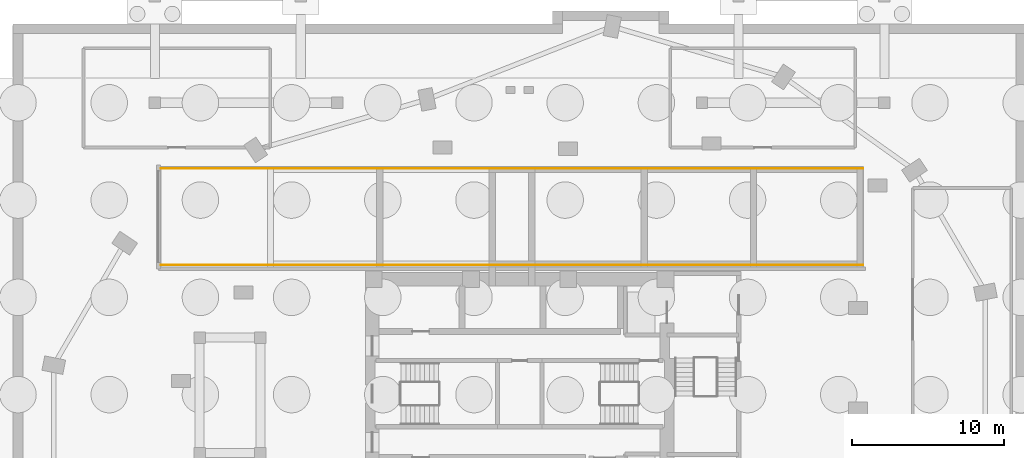
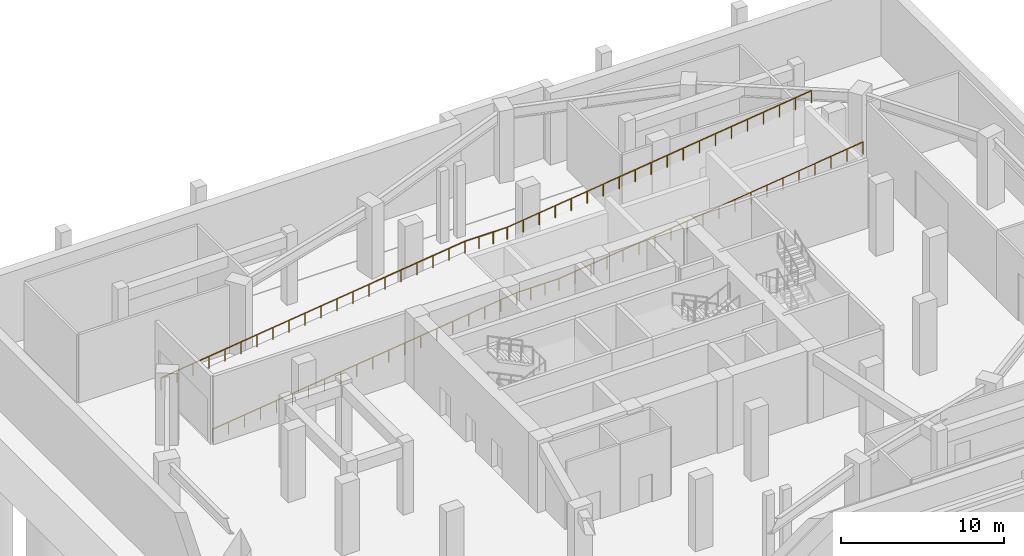
# One storey, part 7 of 8: 6 railings.
"""IFC4 building model written with IfcOpenShell, lengths in metres."""

from ifc_helpers import new_model, si_unit, direction, frame, origin, origin_2d, place, context, subcontext, project, spatial, circle, extrude, material, type_object, element, save


model = new_model("IFC4")

# Units and contexts
model_context = context("Model", 3, precision=1e-05, world=origin(), true_north=direction((0.0, 1.0)))
body_context = subcontext(model_context, "Body", "Model", "MODEL_VIEW")
ifc_project = project(units=[si_unit("LENGTHUNIT", "METRE"), si_unit("AREAUNIT", "SQUARE_METRE"), si_unit("VOLUMEUNIT", "CUBIC_METRE"), si_unit("PLANEANGLEUNIT", "RADIAN"), si_unit("MASSUNIT", "GRAM", prefix="KILO")], contexts=[model_context])

# Site, building, storey
site_placement = place(None, origin())
site = spatial("IfcSite", under=ifc_project, at=site_placement, CompositionType="ELEMENT")
building_placement = place(site_placement, origin())
building = spatial("IfcBuilding", under=site, at=building_placement, Name="Lazwardi Medical Tower", CompositionType="ELEMENT")
storey_placement = place(building_placement, frame((0.0, 0.0, -5.39990234375)))
storey = spatial("IfcBuildingStorey", under=building, at=storey_placement, Name="B1", CompositionType="ELEMENT", Elevation=-5.39990234375)

# Railings
ifc_material = material(Name="Stainless steel Grade 316", Category="steel")
railing_type = type_object("IfcRailingType", Name="RLG-HND-920", PredefinedType="HANDRAIL", material=ifc_material)
railing_1_placement = place(storey_placement, frame((12.39990234375, 36.52001953125, 0.0)))
element("IfcRailing", 1, at=railing_1_placement, inside=storey, type_object=railing_type, Name="Car Park Vehicle Ramp Handrail S1", PredefinedType="HANDRAIL", context=body_context, shape_type="SweptSolid", body=[
    extrude(circle(Radius=0.02392578125, at=origin_2d()), frame((0.0, 0.0, 0.89599609375), z_axis=(0.992278221801, 0.0, 0.124031973856), x_axis=(0.0, 1.0, 0.0)), (0.0, 0.0, 1.0), 21.76806640625),
    extrude(circle(Radius=0.02099609375, at=origin_2d()), origin(), (0.0, 0.0, 1.0), 0.869873046875),
    extrude(circle(Radius=0.02099609375, at=origin_2d()), frame((1.136962890625, 0.0, 0.14208984375)), (0.0, 0.0, 1.0), 0.869873046875),
    extrude(circle(Radius=0.02099609375, at=origin_2d()), frame((2.273681640625, 0.0, 0.2841796875)), (0.0, 0.0, 1.0), 0.869873046875),
    extrude(circle(Radius=0.02099609375, at=origin_2d()), frame((3.41064453125, 0.0, 0.42626953125)), (0.0, 0.0, 1.0), 0.869873046875),
    extrude(circle(Radius=0.02099609375, at=origin_2d()), frame((4.54736328125, 0.0, 0.568359375)), (0.0, 0.0, 1.0), 0.869873046875),
    extrude(circle(Radius=0.02099609375, at=origin_2d()), frame((5.684326171875, 0.0, 0.71044921875)), (0.0, 0.0, 1.0), 0.869873046875),
    extrude(circle(Radius=0.02099609375, at=origin_2d()), frame((6.821044921875, 0.0, 0.8525390625)), (0.0, 0.0, 1.0), 0.869873046875),
    extrude(circle(Radius=0.02099609375, at=origin_2d()), frame((7.9580078125, 0.0, 0.99462890625)), (0.0, 0.0, 1.0), 0.869873046875),
    extrude(circle(Radius=0.02099609375, at=origin_2d()), frame((9.0947265625, 0.0, 1.13671875)), (0.0, 0.0, 1.0), 0.869873046875),
    extrude(circle(Radius=0.02099609375, at=origin_2d()), frame((10.231689453125, 0.0, 1.27880859375)), (0.0, 0.0, 1.0), 0.869873046875),
    extrude(circle(Radius=0.02099609375, at=origin_2d()), frame((11.368408203125, 0.0, 1.421142578125)), (0.0, 0.0, 1.0), 0.869873046875),
    extrude(circle(Radius=0.02099609375, at=origin_2d()), frame((12.50537109375, 0.0, 1.563232421875)), (0.0, 0.0, 1.0), 0.869873046875),
    extrude(circle(Radius=0.02099609375, at=origin_2d()), frame((13.64208984375, 0.0, 1.705322265625)), (0.0, 0.0, 1.0), 0.869873046875),
    extrude(circle(Radius=0.02099609375, at=origin_2d()), frame((14.779052734375, 0.0, 1.847412109375)), (0.0, 0.0, 1.0), 0.869873046875),
    extrude(circle(Radius=0.02099609375, at=origin_2d()), frame((15.915771484375, 0.0, 1.989501953125)), (0.0, 0.0, 1.0), 0.869873046875),
    extrude(circle(Radius=0.02099609375, at=origin_2d()), frame((17.052734375, 0.0, 2.131591796875)), (0.0, 0.0, 1.0), 0.869873046875),
    extrude(circle(Radius=0.02099609375, at=origin_2d()), frame((18.189453125, 0.0, 2.273681640625)), (0.0, 0.0, 1.0), 0.869873046875),
    extrude(circle(Radius=0.02099609375, at=origin_2d()), frame((19.326416015625, 0.0, 2.415771484375)), (0.0, 0.0, 1.0), 0.869873046875),
    extrude(circle(Radius=0.02099609375, at=origin_2d()), frame((20.463134765625, 0.0, 2.557861328125)), (0.0, 0.0, 1.0), 0.869873046875),
    extrude(circle(Radius=0.02099609375, at=origin_2d()), frame((21.60009765625, 0.0, 2.699951171875)), (0.0, 0.0, 1.0), 0.869873046875),
])
railing_2_placement = place(storey_placement, frame((34.0, 36.52001953125, 2.699951171875)))
element("IfcRailing", 2, at=railing_2_placement, inside=storey, type_object=railing_type, Name="Car Park Vehicle Ramp Handrail S2", PredefinedType="HANDRAIL", context=body_context, shape_type="SweptSolid", body=[
    extrude(circle(Radius=0.02392578125, at=origin_2d()), frame((0.0, 0.0, 0.89599609375), z_axis=(1.0, 0.0, 0.0), x_axis=(0.0, 1.0, 0.0)), (0.0, 0.0, 1.0), 3.0),
    extrude(circle(Radius=0.02099609375, at=origin_2d()), origin(), (0.0, 0.0, 1.0), 0.869873046875),
    extrude(circle(Radius=0.02099609375, at=origin_2d()), frame((1.0, 0.0, 0.0)), (0.0, 0.0, 1.0), 0.869873046875),
    extrude(circle(Radius=0.02099609375, at=origin_2d()), frame((2.0, 0.0, 0.0)), (0.0, 0.0, 1.0), 0.869873046875),
    extrude(circle(Radius=0.02099609375, at=origin_2d()), frame((3.0, 0.0, 0.0)), (0.0, 0.0, 1.0), 0.869873046875),
])
railing_3_placement = place(storey_placement, frame((37.0, 36.52001953125, 2.699951171875)))
element("IfcRailing", 3, at=railing_3_placement, inside=storey, type_object=railing_type, Name="Car Park Vehicle Ramp Handrail S3", PredefinedType="HANDRAIL", context=body_context, shape_type="SweptSolid", body=[
    extrude(circle(Radius=0.02392578125, at=origin_2d()), frame((0.0, 0.0, 0.89599609375), z_axis=(0.992278221801, 0.0, 0.124031973856), x_axis=(0.0, 1.0, 0.0)), (0.0, 0.0, 1.0), 21.76806640625),
    extrude(circle(Radius=0.02099609375, at=origin_2d()), origin(), (0.0, 0.0, 1.0), 0.869873046875),
    extrude(circle(Radius=0.02099609375, at=origin_2d()), frame((1.136962890625, 0.0, 0.14208984375)), (0.0, 0.0, 1.0), 0.869873046875),
    extrude(circle(Radius=0.02099609375, at=origin_2d()), frame((2.273681640625, 0.0, 0.2841796875)), (0.0, 0.0, 1.0), 0.869873046875),
    extrude(circle(Radius=0.02099609375, at=origin_2d()), frame((3.41064453125, 0.0, 0.42626953125)), (0.0, 0.0, 1.0), 0.869873046875),
    extrude(circle(Radius=0.02099609375, at=origin_2d()), frame((4.54736328125, 0.0, 0.568359375)), (0.0, 0.0, 1.0), 0.869873046875),
    extrude(circle(Radius=0.02099609375, at=origin_2d()), frame((5.684326171875, 0.0, 0.71044921875)), (0.0, 0.0, 1.0), 0.869873046875),
    extrude(circle(Radius=0.02099609375, at=origin_2d()), frame((6.821044921875, 0.0, 0.8525390625)), (0.0, 0.0, 1.0), 0.869873046875),
    extrude(circle(Radius=0.02099609375, at=origin_2d()), frame((7.9580078125, 0.0, 0.99462890625)), (0.0, 0.0, 1.0), 0.869873046875),
    extrude(circle(Radius=0.02099609375, at=origin_2d()), frame((9.0947265625, 0.0, 1.13671875)), (0.0, 0.0, 1.0), 0.869873046875),
    extrude(circle(Radius=0.02099609375, at=origin_2d()), frame((10.231689453125, 0.0, 1.27880859375)), (0.0, 0.0, 1.0), 0.869873046875),
    extrude(circle(Radius=0.02099609375, at=origin_2d()), frame((11.368408203125, 0.0, 1.421142578125)), (0.0, 0.0, 1.0), 0.869873046875),
    extrude(circle(Radius=0.02099609375, at=origin_2d()), frame((12.50537109375, 0.0, 1.563232421875)), (0.0, 0.0, 1.0), 0.869873046875),
    extrude(circle(Radius=0.02099609375, at=origin_2d()), frame((13.64208984375, 0.0, 1.705322265625)), (0.0, 0.0, 1.0), 0.869873046875),
    extrude(circle(Radius=0.02099609375, at=origin_2d()), frame((14.779052734375, 0.0, 1.847412109375)), (0.0, 0.0, 1.0), 0.869873046875),
    extrude(circle(Radius=0.02099609375, at=origin_2d()), frame((15.915771484375, 0.0, 1.989501953125)), (0.0, 0.0, 1.0), 0.869873046875),
    extrude(circle(Radius=0.02099609375, at=origin_2d()), frame((17.052734375, 0.0, 2.131591796875)), (0.0, 0.0, 1.0), 0.869873046875),
    extrude(circle(Radius=0.02099609375, at=origin_2d()), frame((18.189453125, 0.0, 2.273681640625)), (0.0, 0.0, 1.0), 0.869873046875),
    extrude(circle(Radius=0.02099609375, at=origin_2d()), frame((19.326416015625, 0.0, 2.415771484375)), (0.0, 0.0, 1.0), 0.869873046875),
    extrude(circle(Radius=0.02099609375, at=origin_2d()), frame((20.463134765625, 0.0, 2.557861328125)), (0.0, 0.0, 1.0), 0.869873046875),
    extrude(circle(Radius=0.02099609375, at=origin_2d()), frame((21.60009765625, 0.0, 2.699951171875)), (0.0, 0.0, 1.0), 0.869873046875),
])
railing_4_placement = place(storey_placement, frame((12.39990234375, 42.8798828125, 0.0)))
element("IfcRailing", 4, at=railing_4_placement, inside=storey, type_object=railing_type, Name="Car Park Vehicle Ramp Handrail N1", PredefinedType="HANDRAIL", context=body_context, shape_type="SweptSolid", body=[
    extrude(circle(Radius=0.02392578125, at=origin_2d()), frame((0.0, 0.0, 0.89599609375), z_axis=(0.992278221801, 0.0, 0.124031973856), x_axis=(0.0, 1.0, 0.0)), (0.0, 0.0, 1.0), 21.76806640625),
    extrude(circle(Radius=0.02099609375, at=origin_2d()), origin(), (0.0, 0.0, 1.0), 0.869873046875),
    extrude(circle(Radius=0.02099609375, at=origin_2d()), frame((1.136962890625, 0.0, 0.14208984375)), (0.0, 0.0, 1.0), 0.869873046875),
    extrude(circle(Radius=0.02099609375, at=origin_2d()), frame((2.273681640625, 0.0, 0.2841796875)), (0.0, 0.0, 1.0), 0.869873046875),
    extrude(circle(Radius=0.02099609375, at=origin_2d()), frame((3.41064453125, 0.0, 0.42626953125)), (0.0, 0.0, 1.0), 0.869873046875),
    extrude(circle(Radius=0.02099609375, at=origin_2d()), frame((4.54736328125, 0.0, 0.568359375)), (0.0, 0.0, 1.0), 0.869873046875),
    extrude(circle(Radius=0.02099609375, at=origin_2d()), frame((5.684326171875, 0.0, 0.71044921875)), (0.0, 0.0, 1.0), 0.869873046875),
    extrude(circle(Radius=0.02099609375, at=origin_2d()), frame((6.821044921875, 0.0, 0.8525390625)), (0.0, 0.0, 1.0), 0.869873046875),
    extrude(circle(Radius=0.02099609375, at=origin_2d()), frame((7.9580078125, 0.0, 0.99462890625)), (0.0, 0.0, 1.0), 0.869873046875),
    extrude(circle(Radius=0.02099609375, at=origin_2d()), frame((9.0947265625, 0.0, 1.13671875)), (0.0, 0.0, 1.0), 0.869873046875),
    extrude(circle(Radius=0.02099609375, at=origin_2d()), frame((10.231689453125, 0.0, 1.27880859375)), (0.0, 0.0, 1.0), 0.869873046875),
    extrude(circle(Radius=0.02099609375, at=origin_2d()), frame((11.368408203125, 0.0, 1.421142578125)), (0.0, 0.0, 1.0), 0.869873046875),
    extrude(circle(Radius=0.02099609375, at=origin_2d()), frame((12.50537109375, 0.0, 1.563232421875)), (0.0, 0.0, 1.0), 0.869873046875),
    extrude(circle(Radius=0.02099609375, at=origin_2d()), frame((13.64208984375, 0.0, 1.705322265625)), (0.0, 0.0, 1.0), 0.869873046875),
    extrude(circle(Radius=0.02099609375, at=origin_2d()), frame((14.779052734375, 0.0, 1.847412109375)), (0.0, 0.0, 1.0), 0.869873046875),
    extrude(circle(Radius=0.02099609375, at=origin_2d()), frame((15.915771484375, 0.0, 1.989501953125)), (0.0, 0.0, 1.0), 0.869873046875),
    extrude(circle(Radius=0.02099609375, at=origin_2d()), frame((17.052734375, 0.0, 2.131591796875)), (0.0, 0.0, 1.0), 0.869873046875),
    extrude(circle(Radius=0.02099609375, at=origin_2d()), frame((18.189453125, 0.0, 2.273681640625)), (0.0, 0.0, 1.0), 0.869873046875),
    extrude(circle(Radius=0.02099609375, at=origin_2d()), frame((19.326416015625, 0.0, 2.415771484375)), (0.0, 0.0, 1.0), 0.869873046875),
    extrude(circle(Radius=0.02099609375, at=origin_2d()), frame((20.463134765625, 0.0, 2.557861328125)), (0.0, 0.0, 1.0), 0.869873046875),
    extrude(circle(Radius=0.02099609375, at=origin_2d()), frame((21.60009765625, 0.0, 2.699951171875)), (0.0, 0.0, 1.0), 0.869873046875),
])
railing_5_placement = place(storey_placement, frame((34.0, 42.8798828125, 2.699951171875)))
element("IfcRailing", 5, at=railing_5_placement, inside=storey, type_object=railing_type, Name="Car Park Vehicle Ramp Handrail N2", PredefinedType="HANDRAIL", context=body_context, shape_type="SweptSolid", body=[
    extrude(circle(Radius=0.02392578125, at=origin_2d()), frame((0.0, 0.0, 0.89599609375), z_axis=(1.0, 0.0, 0.0), x_axis=(0.0, 1.0, 0.0)), (0.0, 0.0, 1.0), 3.0),
    extrude(circle(Radius=0.02099609375, at=origin_2d()), origin(), (0.0, 0.0, 1.0), 0.869873046875),
    extrude(circle(Radius=0.02099609375, at=origin_2d()), frame((1.0, 0.0, 0.0)), (0.0, 0.0, 1.0), 0.869873046875),
    extrude(circle(Radius=0.02099609375, at=origin_2d()), frame((2.0, 0.0, 0.0)), (0.0, 0.0, 1.0), 0.869873046875),
    extrude(circle(Radius=0.02099609375, at=origin_2d()), frame((3.0, 0.0, 0.0)), (0.0, 0.0, 1.0), 0.869873046875),
])
railing_6_placement = place(storey_placement, frame((37.0, 42.8798828125, 2.699951171875)))
element("IfcRailing", 6, at=railing_6_placement, inside=storey, type_object=railing_type, Name="Car Park Vehicle Ramp Handrail N3", PredefinedType="HANDRAIL", context=body_context, shape_type="SweptSolid", body=[
    extrude(circle(Radius=0.02392578125, at=origin_2d()), frame((0.0, 0.0, 0.89599609375), z_axis=(0.992278221801, 0.0, 0.124031973856), x_axis=(0.0, 1.0, 0.0)), (0.0, 0.0, 1.0), 21.76806640625),
    extrude(circle(Radius=0.02099609375, at=origin_2d()), origin(), (0.0, 0.0, 1.0), 0.869873046875),
    extrude(circle(Radius=0.02099609375, at=origin_2d()), frame((1.136962890625, 0.0, 0.14208984375)), (0.0, 0.0, 1.0), 0.869873046875),
    extrude(circle(Radius=0.02099609375, at=origin_2d()), frame((2.273681640625, 0.0, 0.2841796875)), (0.0, 0.0, 1.0), 0.869873046875),
    extrude(circle(Radius=0.02099609375, at=origin_2d()), frame((3.41064453125, 0.0, 0.42626953125)), (0.0, 0.0, 1.0), 0.869873046875),
    extrude(circle(Radius=0.02099609375, at=origin_2d()), frame((4.54736328125, 0.0, 0.568359375)), (0.0, 0.0, 1.0), 0.869873046875),
    extrude(circle(Radius=0.02099609375, at=origin_2d()), frame((5.684326171875, 0.0, 0.71044921875)), (0.0, 0.0, 1.0), 0.869873046875),
    extrude(circle(Radius=0.02099609375, at=origin_2d()), frame((6.821044921875, 0.0, 0.8525390625)), (0.0, 0.0, 1.0), 0.869873046875),
    extrude(circle(Radius=0.02099609375, at=origin_2d()), frame((7.9580078125, 0.0, 0.99462890625)), (0.0, 0.0, 1.0), 0.869873046875),
    extrude(circle(Radius=0.02099609375, at=origin_2d()), frame((9.0947265625, 0.0, 1.13671875)), (0.0, 0.0, 1.0), 0.869873046875),
    extrude(circle(Radius=0.02099609375, at=origin_2d()), frame((10.231689453125, 0.0, 1.27880859375)), (0.0, 0.0, 1.0), 0.869873046875),
    extrude(circle(Radius=0.02099609375, at=origin_2d()), frame((11.368408203125, 0.0, 1.421142578125)), (0.0, 0.0, 1.0), 0.869873046875),
    extrude(circle(Radius=0.02099609375, at=origin_2d()), frame((12.50537109375, 0.0, 1.563232421875)), (0.0, 0.0, 1.0), 0.869873046875),
    extrude(circle(Radius=0.02099609375, at=origin_2d()), frame((13.64208984375, 0.0, 1.705322265625)), (0.0, 0.0, 1.0), 0.869873046875),
    extrude(circle(Radius=0.02099609375, at=origin_2d()), frame((14.779052734375, 0.0, 1.847412109375)), (0.0, 0.0, 1.0), 0.869873046875),
    extrude(circle(Radius=0.02099609375, at=origin_2d()), frame((15.915771484375, 0.0, 1.989501953125)), (0.0, 0.0, 1.0), 0.869873046875),
    extrude(circle(Radius=0.02099609375, at=origin_2d()), frame((17.052734375, 0.0, 2.131591796875)), (0.0, 0.0, 1.0), 0.869873046875),
    extrude(circle(Radius=0.02099609375, at=origin_2d()), frame((18.189453125, 0.0, 2.273681640625)), (0.0, 0.0, 1.0), 0.869873046875),
    extrude(circle(Radius=0.02099609375, at=origin_2d()), frame((19.326416015625, 0.0, 2.415771484375)), (0.0, 0.0, 1.0), 0.869873046875),
    extrude(circle(Radius=0.02099609375, at=origin_2d()), frame((20.463134765625, 0.0, 2.557861328125)), (0.0, 0.0, 1.0), 0.869873046875),
    extrude(circle(Radius=0.02099609375, at=origin_2d()), frame((21.60009765625, 0.0, 2.699951171875)), (0.0, 0.0, 1.0), 0.869873046875),
])

save(model, "model.ifc")
